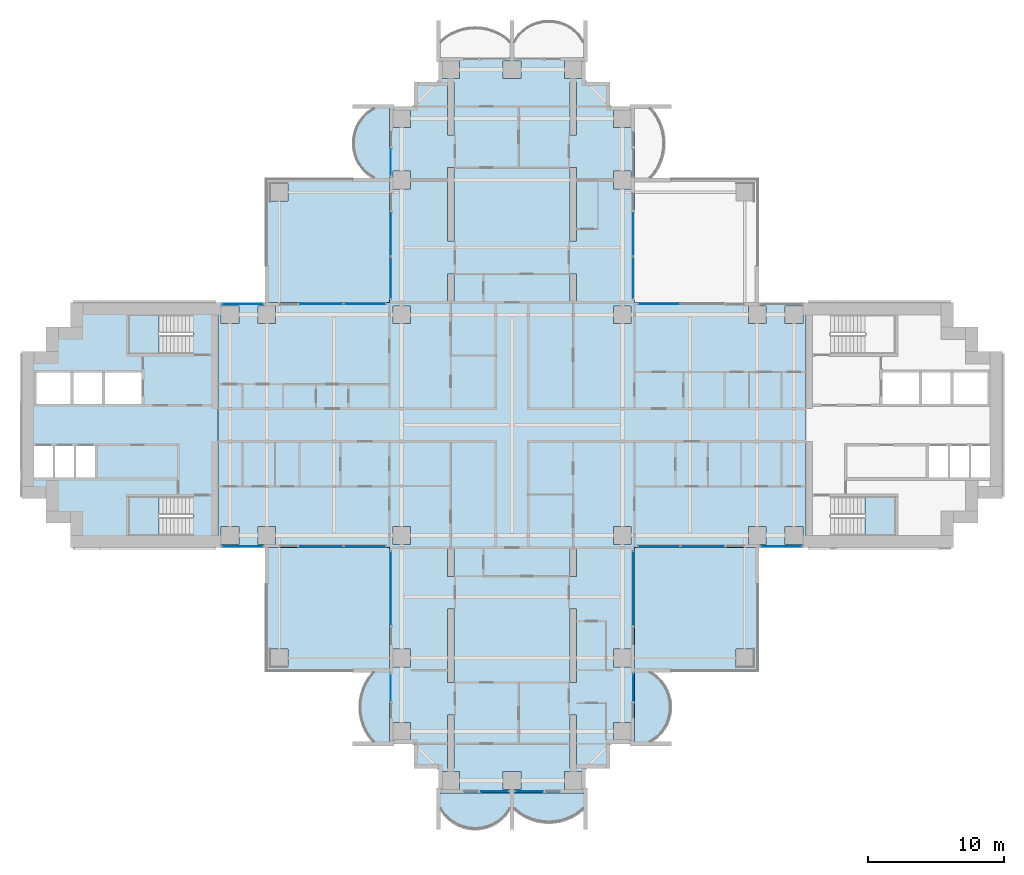
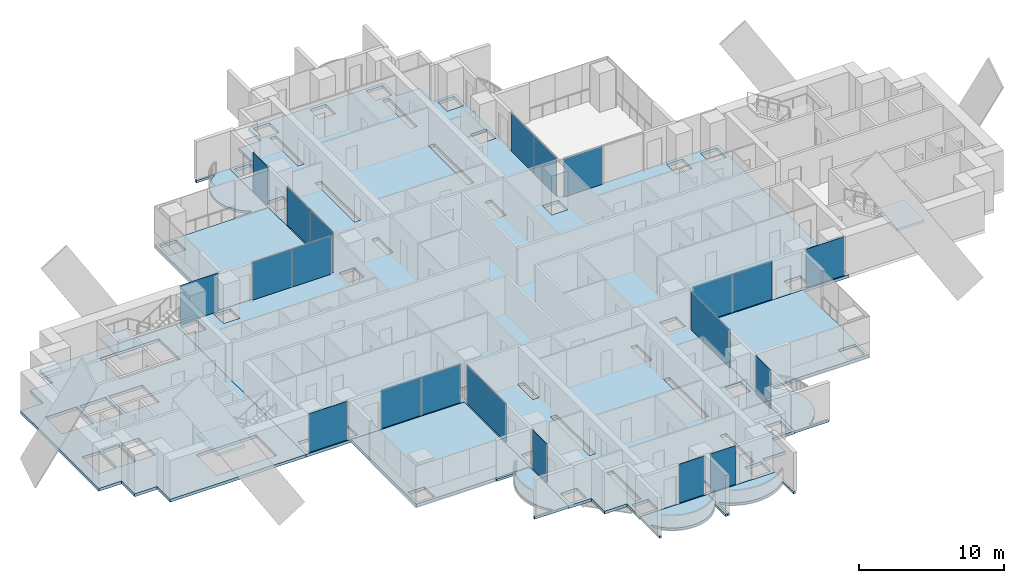
# One storey, part 9 of 22: 21 plates, 13 slabs, 19 elements without a shape of their own.
"""IFC4 building model written with IfcOpenShell, lengths in metres."""

from ifc_helpers import new_model, si_unit, direction, frame, origin, origin_2d, place, context, subcontext, project, spatial, polyline, rectangle, outline, extrude, material, layer, layer_set, type_object, element, aggregate, save


model = new_model("IFC4")

# Units and contexts
model_context = context("Model", 3, precision=1e-05, world=origin(), true_north=direction((0.0, 1.0)))
body_context = subcontext(model_context, "Body", "Model", "MODEL_VIEW")
ifc_project = project(units=[si_unit("LENGTHUNIT", "METRE"), si_unit("AREAUNIT", "SQUARE_METRE"), si_unit("VOLUMEUNIT", "CUBIC_METRE"), si_unit("PLANEANGLEUNIT", "RADIAN"), si_unit("MASSUNIT", "GRAM", prefix="KILO")], contexts=[model_context])

# Site, building, storey
site_placement = place(None, origin())
site = spatial("IfcSite", under=ifc_project, at=site_placement, CompositionType="ELEMENT")
building_placement = place(site_placement, origin())
building = spatial("IfcBuilding", under=site, at=building_placement, Name="Perihelion Cross Residences", CompositionType="ELEMENT")
storey_placement = place(building_placement, frame((0.0, 0.0, 50.5)))
storey = spatial("IfcBuildingStorey", under=building, at=storey_placement, Name="L09", CompositionType="ELEMENT", Elevation=50.5)

# Slabs
ifc_material_1 = material(Name="Concrete C40/50", Category="concrete")
ifc_layer_1 = layer(ifc_material_1, 0.199951171875)
ifc_layer_set_1 = layer_set([ifc_layer_1], Name="Balcony slab 200")
slab_type_1 = type_object("IfcSlabType", Name="Balcony slab 200", PredefinedType="FLOOR", material=ifc_layer_set_1)
slab_1_placement = place(storey_placement, frame((0.0, 0.0, -0.199951171875)))
element("IfcSlab", 1, at=slab_1_placement, inside=storey, type_object=slab_type_1, Name="Slab BK1 L09 north side west bay 1 balcony", PredefinedType="FLOOR", context=body_context, shape_type="SweptSolid", body=[
    extrude(outline(polyline([(-9.0, 23.39990234375), (-9.0, 18.0), (-11.699951171875, 18.0), (-11.699951171875, 18.14990234375), (-10.199951171875, 18.14990234375), (-10.6767578125, 18.489990234375), (-11.007080078125, 18.830078125), (-11.2490234375, 19.169921875), (-11.42724609375, 19.510009765625), (-11.553466796875, 19.85009765625), (-11.63427734375, 20.18994140625), (-11.674072265625, 20.530029296875), (-11.674072265625, 20.8701171875), (-11.63427734375, 21.2099609375), (-11.553466796875, 21.550048828125), (-11.42724609375, 21.889892578125), (-11.2490234375, 22.22998046875), (-11.007080078125, 22.570068359375), (-10.6767578125, 22.909912109375), (-10.199951171875, 23.25), (-11.699951171875, 23.25), (-11.699951171875, 23.39990234375), (-9.0, 23.39990234375)])), origin(), (0.0, 0.0, 1.0), 0.199951171875),
])
slab_2_placement = place(storey_placement, frame((0.0, 0.0, -0.199951171875)))
element("IfcSlab", 2, at=slab_2_placement, inside=storey, type_object=slab_type_1, Name="Slab BK1 L09 south side west bay 2 balcony", PredefinedType="FLOOR", context=body_context, shape_type="SweptSolid", body=[
    extrude(outline(polyline([(-9.0, -18.0), (-9.0, -23.39990234375), (-11.699951171875, -23.39990234375), (-11.699951171875, -23.25), (-10.199951171875, -23.25), (-10.5400390625, -22.824951171875), (-10.792724609375, -22.39990234375), (-10.9765625, -21.97509765625), (-11.1025390625, -21.550048828125), (-11.17578125, -21.125), (-11.199951171875, -20.699951171875), (-11.17578125, -20.27490234375), (-11.1025390625, -19.85009765625), (-10.9765625, -19.425048828125), (-10.792724609375, -19.0), (-10.5400390625, -18.574951171875), (-10.199951171875, -18.14990234375), (-11.699951171875, -18.14990234375), (-11.699951171875, -18.0), (-9.0, -18.0)])), origin(), (0.0, 0.0, 1.0), 0.199951171875),
])
slab_3_placement = place(storey_placement, frame((0.0, 0.0, -0.199951171875)))
element("IfcSlab", 3, at=slab_3_placement, inside=storey, type_object=slab_type_1, Name="Slab BK1 L09 south tip south bay 1 balcony", PredefinedType="FLOOR", context=body_context, shape_type="SweptSolid", body=[
    extrude(outline(polyline([(-5.39990234375, -27.0), (0.0, -27.0), (0.0, -29.699951171875), (-0.14990234375, -29.699951171875), (-0.14990234375, -28.199951171875), (-0.489990234375, -28.6767578125), (-0.830078125, -29.007080078125), (-1.169921875, -29.2490234375), (-1.510009765625, -29.42724609375), (-1.85009765625, -29.553466796875), (-2.18994140625, -29.63427734375), (-2.530029296875, -29.674072265625), (-2.8701171875, -29.674072265625), (-3.2099609375, -29.63427734375), (-3.550048828125, -29.553466796875), (-3.889892578125, -29.42724609375), (-4.22998046875, -29.2490234375), (-4.570068359375, -29.007080078125), (-4.909912109375, -28.6767578125), (-5.25, -28.199951171875), (-5.25, -29.699951171875), (-5.39990234375, -29.699951171875), (-5.39990234375, -27.0)])), origin(), (0.0, 0.0, 1.0), 0.199951171875),
])
slab_4_placement = place(storey_placement, frame((0.0, 0.0, -0.199951171875)))
element("IfcSlab", 4, at=slab_4_placement, inside=storey, type_object=slab_type_1, Name="Slab BK1 L09 south tip south bay 2 balcony", PredefinedType="FLOOR", context=body_context, shape_type="SweptSolid", body=[
    extrude(outline(polyline([(0.0, -27.0), (5.39990234375, -27.0), (5.39990234375, -29.699951171875), (5.25, -29.699951171875), (5.25, -28.199951171875), (4.824951171875, -28.5400390625), (4.39990234375, -28.792724609375), (3.97509765625, -28.9765625), (3.550048828125, -29.1025390625), (3.125, -29.17578125), (2.699951171875, -29.199951171875), (2.27490234375, -29.17578125), (1.85009765625, -29.1025390625), (1.425048828125, -28.9765625), (1.0, -28.792724609375), (0.574951171875, -28.5400390625), (0.14990234375, -28.199951171875), (0.14990234375, -29.699951171875), (0.0, -29.699951171875), (0.0, -27.0)])), origin(), (0.0, 0.0, 1.0), 0.199951171875),
])
slab_5_placement = place(storey_placement, frame((0.0, 0.0, -0.199951171875)))
element("IfcSlab", 5, at=slab_5_placement, inside=storey, type_object=slab_type_1, Name="Slab BK1 L09 south side east bay 1 balcony", PredefinedType="FLOOR", context=body_context, shape_type="SweptSolid", body=[
    extrude(outline(polyline([(9.0, -23.39990234375), (9.0, -18.0), (11.699951171875, -18.0), (11.699951171875, -18.14990234375), (10.199951171875, -18.14990234375), (10.6767578125, -18.489990234375), (11.007080078125, -18.830078125), (11.2490234375, -19.169921875), (11.42724609375, -19.510009765625), (11.553466796875, -19.85009765625), (11.63427734375, -20.18994140625), (11.674072265625, -20.530029296875), (11.674072265625, -20.8701171875), (11.63427734375, -21.2099609375), (11.553466796875, -21.550048828125), (11.42724609375, -21.889892578125), (11.2490234375, -22.22998046875), (11.007080078125, -22.570068359375), (10.6767578125, -22.909912109375), (10.199951171875, -23.25), (11.699951171875, -23.25), (11.699951171875, -23.39990234375), (9.0, -23.39990234375)])), origin(), (0.0, 0.0, 1.0), 0.199951171875),
])

# Curtain wall, plate
ifc_material_2 = material(Name="Bronze anodised aluminium, tinted glazing", Category="aluminium")
curtain_wall_type = type_object("IfcCurtainWallType", Name="CW1", PredefinedType="NOTDEFINED", material=ifc_material_2)
curtain_wall_1_placement = place(storey_placement, origin())
curtain_wall_1 = element("IfcCurtainWall", 6, at=curtain_wall_1_placement, inside=storey, type_object=curtain_wall_type, Name="Curtain wall CW1 L09 east side north bay 2", PredefinedType="NOTDEFINED")
ifc_material_3 = material(Name="Tinted laminated glass", Category="glass")
ifc_layer_2 = layer(ifc_material_3, 0.028076171875)
ifc_layer_set_2 = layer_set([ifc_layer_2], Name="CW1 panel")
plate_type = type_object("IfcPlateType", Name="CW1 panel", PredefinedType="CURTAIN_PANEL", material=ifc_layer_set_2)
plate_1_placement = place(storey_placement, frame((10.802490234375, 8.89990234375, 0.0), z_axis=(0.0, 0.0, 1.0), x_axis=(-1.0, 0.0, 0.0)))
plate_1 = element("IfcPlate", 7, at=plate_1_placement, type_object=plate_type, Name="CW1 panel 2", PredefinedType="CURTAIN_PANEL", context=body_context, shape_type="SweptSolid", body=[
    extrude(rectangle(XDim=3.0849609375, YDim=0.028076171875, at=origin_2d()), origin(), (0.0, 0.0, 1.0), 3.18994140625),
])
aggregate(curtain_wall_1, [plate_1])

# Curtain wall, plates
curtain_wall_2_placement = place(storey_placement, origin())
curtain_wall_2 = element("IfcCurtainWall", 8, at=curtain_wall_2_placement, inside=storey, type_object=curtain_wall_type, Name="Curtain wall CW1 L09 north side east bay 1", PredefinedType="NOTDEFINED")
plate_2_placement = place(storey_placement, frame((8.89990234375, 10.802490234375, 0.0), z_axis=(0.0, 0.0, 1.0), x_axis=(0.0, 1.0, 0.0)))
plate_2 = element("IfcPlate", 9, at=plate_2_placement, type_object=plate_type, Name="CW1 panel 1", PredefinedType="CURTAIN_PANEL", context=body_context, shape_type="SweptSolid", body=[
    extrude(rectangle(XDim=3.0849609375, YDim=0.028076171875, at=origin_2d()), origin(), (0.0, 0.0, 1.0), 3.18994140625),
])
plate_3_placement = place(storey_placement, frame((8.89990234375, 13.9775390625, 0.0), z_axis=(0.0, 0.0, 1.0), x_axis=(0.0, 1.0, 0.0)))
plate_3 = element("IfcPlate", 10, at=plate_3_placement, type_object=plate_type, Name="CW1 panel 2", PredefinedType="CURTAIN_PANEL", context=body_context, shape_type="SweptSolid", body=[
    extrude(rectangle(XDim=3.14501953125, YDim=0.028076171875, at=origin_2d()), origin(), (0.0, 0.0, 1.0), 3.18994140625),
])
aggregate(curtain_wall_2, [plate_2, plate_3])

# Curtain wall, plate
curtain_wall_3_placement = place(storey_placement, origin())
curtain_wall_3 = element("IfcCurtainWall", 11, at=curtain_wall_3_placement, inside=storey, type_object=curtain_wall_type, Name="Curtain wall CW1 L09 north side west bay 1", PredefinedType="NOTDEFINED")
plate_4_placement = place(storey_placement, frame((-8.89990234375, 19.2548828125, 0.0), z_axis=(0.0, 0.0, 1.0), x_axis=(0.0, -1.0, 0.0)))
plate_4 = element("IfcPlate", 12, at=plate_4_placement, type_object=plate_type, Name="CW1 panel 1", PredefinedType="CURTAIN_PANEL", context=body_context, shape_type="SweptSolid", body=[
    extrude(rectangle(XDim=1.989990234375, YDim=0.028076171875, at=origin_2d()), origin(), (0.0, 0.0, 1.0), 3.25),
])
aggregate(curtain_wall_3, [plate_4])

# Curtain wall, plates
curtain_wall_4_placement = place(storey_placement, origin())
curtain_wall_4 = element("IfcCurtainWall", 13, at=curtain_wall_4_placement, inside=storey, type_object=curtain_wall_type, Name="Curtain wall CW1 L09 north side west bay 2", PredefinedType="NOTDEFINED")
plate_5_placement = place(storey_placement, frame((-8.89990234375, 13.9775390625, 0.0), z_axis=(0.0, 0.0, 1.0), x_axis=(0.0, -1.0, 0.0)))
plate_5 = element("IfcPlate", 14, at=plate_5_placement, type_object=plate_type, Name="CW1 panel 1", PredefinedType="CURTAIN_PANEL", context=body_context, shape_type="SweptSolid", body=[
    extrude(rectangle(XDim=3.14501953125, YDim=0.028076171875, at=origin_2d()), origin(), (0.0, 0.0, 1.0), 3.18994140625),
])
plate_6_placement = place(storey_placement, frame((-8.89990234375, 10.802490234375, 0.0), z_axis=(0.0, 0.0, 1.0), x_axis=(0.0, -1.0, 0.0)))
plate_6 = element("IfcPlate", 15, at=plate_6_placement, type_object=plate_type, Name="CW1 panel 2", PredefinedType="CURTAIN_PANEL", context=body_context, shape_type="SweptSolid", body=[
    extrude(rectangle(XDim=3.0849609375, YDim=0.028076171875, at=origin_2d()), origin(), (0.0, 0.0, 1.0), 3.18994140625),
])
aggregate(curtain_wall_4, [plate_5, plate_6])

curtain_wall_5_placement = place(storey_placement, origin())
curtain_wall_5 = element("IfcCurtainWall", 16, at=curtain_wall_5_placement, inside=storey, type_object=curtain_wall_type, Name="Curtain wall CW1 L09 west side north bay 1", PredefinedType="NOTDEFINED")
plate_7_placement = place(storey_placement, frame((-10.802490234375, 8.89990234375, 0.0), z_axis=(0.0, 0.0, 1.0), x_axis=(-1.0, 0.0, 0.0)))
plate_7 = element("IfcPlate", 17, at=plate_7_placement, type_object=plate_type, Name="CW1 panel 1", PredefinedType="CURTAIN_PANEL", context=body_context, shape_type="SweptSolid", body=[
    extrude(rectangle(XDim=3.0849609375, YDim=0.028076171875, at=origin_2d()), origin(), (0.0, 0.0, 1.0), 3.18994140625),
])
plate_8_placement = place(storey_placement, frame((-13.9775390625, 8.89990234375, 0.0), z_axis=(0.0, 0.0, 1.0), x_axis=(-1.0, 0.0, 0.0)))
plate_8 = element("IfcPlate", 18, at=plate_8_placement, type_object=plate_type, Name="CW1 panel 2", PredefinedType="CURTAIN_PANEL", context=body_context, shape_type="SweptSolid", body=[
    extrude(rectangle(XDim=3.14501953125, YDim=0.028076171875, at=origin_2d()), origin(), (0.0, 0.0, 1.0), 3.18994140625),
])
aggregate(curtain_wall_5, [plate_7, plate_8])

# Curtain wall, plate
curtain_wall_6_placement = place(storey_placement, origin())
curtain_wall_6 = element("IfcCurtainWall", 19, at=curtain_wall_6_placement, inside=storey, type_object=curtain_wall_type, Name="Curtain wall CW1 L09 west side north bay 2", PredefinedType="NOTDEFINED")
plate_9_placement = place(storey_placement, frame((-19.77490234375, 8.89990234375, 0.0), z_axis=(0.0, 0.0, 1.0), x_axis=(-1.0, 0.0, 0.0)))
plate_9 = element("IfcPlate", 20, at=plate_9_placement, type_object=plate_type, Name="CW1 panel 1", PredefinedType="CURTAIN_PANEL", context=body_context, shape_type="SweptSolid", body=[
    extrude(rectangle(XDim=3.030029296875, YDim=0.028076171875, at=origin_2d()), origin(), (0.0, 0.0, 1.0), 3.25),
])
aggregate(curtain_wall_6, [plate_9])

curtain_wall_7_placement = place(storey_placement, origin())
curtain_wall_7 = element("IfcCurtainWall", 21, at=curtain_wall_7_placement, inside=storey, type_object=curtain_wall_type, Name="Curtain wall CW1 L09 west side south bay 1", PredefinedType="NOTDEFINED")
plate_10_placement = place(storey_placement, frame((-19.77490234375, -8.89990234375, 0.0), z_axis=(0.0, 0.0, 1.0), x_axis=(1.0, 0.0, 0.0)))
plate_10 = element("IfcPlate", 22, at=plate_10_placement, type_object=plate_type, Name="CW1 panel 1", PredefinedType="CURTAIN_PANEL", context=body_context, shape_type="SweptSolid", body=[
    extrude(rectangle(XDim=3.030029296875, YDim=0.028076171875, at=origin_2d()), origin(), (0.0, 0.0, 1.0), 3.25),
])
aggregate(curtain_wall_7, [plate_10])

# Curtain wall, plates
curtain_wall_8_placement = place(storey_placement, origin())
curtain_wall_8 = element("IfcCurtainWall", 23, at=curtain_wall_8_placement, inside=storey, type_object=curtain_wall_type, Name="Curtain wall CW1 L09 west side south bay 2", PredefinedType="NOTDEFINED")
plate_11_placement = place(storey_placement, frame((-13.9775390625, -8.89990234375, 0.0), z_axis=(0.0, 0.0, 1.0), x_axis=(1.0, 0.0, 0.0)))
plate_11 = element("IfcPlate", 24, at=plate_11_placement, type_object=plate_type, Name="CW1 panel 1", PredefinedType="CURTAIN_PANEL", context=body_context, shape_type="SweptSolid", body=[
    extrude(rectangle(XDim=3.14501953125, YDim=0.028076171875, at=origin_2d()), origin(), (0.0, 0.0, 1.0), 3.18994140625),
])
plate_12_placement = place(storey_placement, frame((-10.802490234375, -8.89990234375, 0.0), z_axis=(0.0, 0.0, 1.0), x_axis=(1.0, 0.0, 0.0)))
plate_12 = element("IfcPlate", 25, at=plate_12_placement, type_object=plate_type, Name="CW1 panel 2", PredefinedType="CURTAIN_PANEL", context=body_context, shape_type="SweptSolid", body=[
    extrude(rectangle(XDim=3.0849609375, YDim=0.028076171875, at=origin_2d()), origin(), (0.0, 0.0, 1.0), 3.18994140625),
])
aggregate(curtain_wall_8, [plate_11, plate_12])

# Curtain wall, plate
curtain_wall_9_placement = place(storey_placement, origin())
curtain_wall_9 = element("IfcCurtainWall", 26, at=curtain_wall_9_placement, inside=storey, type_object=curtain_wall_type, Name="Curtain wall CW1 L09 south side west bay 1", PredefinedType="NOTDEFINED")
plate_13_placement = place(storey_placement, frame((-8.89990234375, -11.955078125, 0.0), z_axis=(0.0, 0.0, 1.0), x_axis=(0.0, -1.0, 0.0)))
plate_13 = element("IfcPlate", 27, at=plate_13_placement, type_object=plate_type, Name="CW1 panel 1", PredefinedType="CURTAIN_PANEL", context=body_context, shape_type="SweptSolid", body=[
    extrude(rectangle(XDim=5.389892578125, YDim=0.028076171875, at=origin_2d()), origin(), (0.0, 0.0, 1.0), 3.18994140625),
])
aggregate(curtain_wall_9, [plate_13])

curtain_wall_10_placement = place(storey_placement, origin())
curtain_wall_10 = element("IfcCurtainWall", 28, at=curtain_wall_10_placement, inside=storey, type_object=curtain_wall_type, Name="Curtain wall CW1 L09 south side west bay 2", PredefinedType="NOTDEFINED")
plate_14_placement = place(storey_placement, frame((-8.89990234375, -19.2548828125, 0.0), z_axis=(0.0, 0.0, 1.0), x_axis=(0.0, -1.0, 0.0)))
plate_14 = element("IfcPlate", 29, at=plate_14_placement, type_object=plate_type, Name="CW1 panel 1", PredefinedType="CURTAIN_PANEL", context=body_context, shape_type="SweptSolid", body=[
    extrude(rectangle(XDim=1.989990234375, YDim=0.028076171875, at=origin_2d()), origin(), (0.0, 0.0, 1.0), 3.25),
])
aggregate(curtain_wall_10, [plate_14])

curtain_wall_11_placement = place(storey_placement, origin())
curtain_wall_11 = element("IfcCurtainWall", 30, at=curtain_wall_11_placement, inside=storey, type_object=curtain_wall_type, Name="Curtain wall CW1 L09 south tip south bay 1", PredefinedType="NOTDEFINED")
plate_15_placement = place(storey_placement, frame((-1.2548828125, -26.89990234375, 0.0), z_axis=(0.0, 0.0, 1.0), x_axis=(1.0, 0.0, 0.0)))
plate_15 = element("IfcPlate", 31, at=plate_15_placement, type_object=plate_type, Name="CW1 panel 1", PredefinedType="CURTAIN_PANEL", context=body_context, shape_type="SweptSolid", body=[
    extrude(rectangle(XDim=1.989990234375, YDim=0.028076171875, at=origin_2d()), origin(), (0.0, 0.0, 1.0), 3.25),
])
aggregate(curtain_wall_11, [plate_15])

curtain_wall_12_placement = place(storey_placement, origin())
curtain_wall_12 = element("IfcCurtainWall", 32, at=curtain_wall_12_placement, inside=storey, type_object=curtain_wall_type, Name="Curtain wall CW1 L09 south tip south bay 2", PredefinedType="NOTDEFINED")
plate_16_placement = place(storey_placement, frame((1.2548828125, -26.89990234375, 0.0), z_axis=(0.0, 0.0, 1.0), x_axis=(1.0, 0.0, 0.0)))
plate_16 = element("IfcPlate", 33, at=plate_16_placement, type_object=plate_type, Name="CW1 panel 1", PredefinedType="CURTAIN_PANEL", context=body_context, shape_type="SweptSolid", body=[
    extrude(rectangle(XDim=1.989990234375, YDim=0.028076171875, at=origin_2d()), origin(), (0.0, 0.0, 1.0), 3.25),
])
aggregate(curtain_wall_12, [plate_16])

curtain_wall_13_placement = place(storey_placement, origin())
curtain_wall_13 = element("IfcCurtainWall", 34, at=curtain_wall_13_placement, inside=storey, type_object=curtain_wall_type, Name="Curtain wall CW1 L09 south side east bay 1", PredefinedType="NOTDEFINED")
plate_17_placement = place(storey_placement, frame((8.89990234375, -19.2548828125, 0.0), z_axis=(0.0, 0.0, 1.0), x_axis=(0.0, 1.0, 0.0)))
plate_17 = element("IfcPlate", 35, at=plate_17_placement, type_object=plate_type, Name="CW1 panel 1", PredefinedType="CURTAIN_PANEL", context=body_context, shape_type="SweptSolid", body=[
    extrude(rectangle(XDim=1.989990234375, YDim=0.028076171875, at=origin_2d()), origin(), (0.0, 0.0, 1.0), 3.25),
])
aggregate(curtain_wall_13, [plate_17])

curtain_wall_14_placement = place(storey_placement, origin())
curtain_wall_14 = element("IfcCurtainWall", 36, at=curtain_wall_14_placement, inside=storey, type_object=curtain_wall_type, Name="Curtain wall CW1 L09 south side east bay 2", PredefinedType="NOTDEFINED")
plate_18_placement = place(storey_placement, frame((8.89990234375, -11.955078125, 0.0), z_axis=(0.0, 0.0, 1.0), x_axis=(0.0, 1.0, 0.0)))
plate_18 = element("IfcPlate", 37, at=plate_18_placement, type_object=plate_type, Name="CW1 panel 1", PredefinedType="CURTAIN_PANEL", context=body_context, shape_type="SweptSolid", body=[
    extrude(rectangle(XDim=5.389892578125, YDim=0.028076171875, at=origin_2d()), origin(), (0.0, 0.0, 1.0), 3.18994140625),
])
aggregate(curtain_wall_14, [plate_18])

# Curtain wall, plates
curtain_wall_15_placement = place(storey_placement, origin())
curtain_wall_15 = element("IfcCurtainWall", 38, at=curtain_wall_15_placement, inside=storey, type_object=curtain_wall_type, Name="Curtain wall CW1 L09 east side south bay 1", PredefinedType="NOTDEFINED")
plate_19_placement = place(storey_placement, frame((10.802490234375, -8.89990234375, 0.0), z_axis=(0.0, 0.0, 1.0), x_axis=(1.0, 0.0, 0.0)))
plate_19 = element("IfcPlate", 39, at=plate_19_placement, type_object=plate_type, Name="CW1 panel 1", PredefinedType="CURTAIN_PANEL", context=body_context, shape_type="SweptSolid", body=[
    extrude(rectangle(XDim=3.0849609375, YDim=0.028076171875, at=origin_2d()), origin(), (0.0, 0.0, 1.0), 3.18994140625),
])
plate_20_placement = place(storey_placement, frame((13.9775390625, -8.89990234375, 0.0), z_axis=(0.0, 0.0, 1.0), x_axis=(1.0, 0.0, 0.0)))
plate_20 = element("IfcPlate", 40, at=plate_20_placement, type_object=plate_type, Name="CW1 panel 2", PredefinedType="CURTAIN_PANEL", context=body_context, shape_type="SweptSolid", body=[
    extrude(rectangle(XDim=3.14501953125, YDim=0.028076171875, at=origin_2d()), origin(), (0.0, 0.0, 1.0), 3.18994140625),
])
aggregate(curtain_wall_15, [plate_19, plate_20])

# Curtain wall, plate
curtain_wall_16_placement = place(storey_placement, origin())
curtain_wall_16 = element("IfcCurtainWall", 41, at=curtain_wall_16_placement, inside=storey, type_object=curtain_wall_type, Name="Curtain wall CW1 L09 east side south bay 2", PredefinedType="NOTDEFINED")
plate_21_placement = place(storey_placement, frame((19.77490234375, -8.89990234375, 0.0), z_axis=(0.0, 0.0, 1.0), x_axis=(1.0, 0.0, 0.0)))
plate_21 = element("IfcPlate", 42, at=plate_21_placement, type_object=plate_type, Name="CW1 panel 1", PredefinedType="CURTAIN_PANEL", context=body_context, shape_type="SweptSolid", body=[
    extrude(rectangle(XDim=3.030029296875, YDim=0.028076171875, at=origin_2d()), origin(), (0.0, 0.0, 1.0), 3.25),
])
aggregate(curtain_wall_16, [plate_21])

# Slabs
ifc_material_4 = material(Name="Concrete C40/50", Category="concrete")
ifc_layer_3 = layer(ifc_material_4, 0.25)
ifc_layer_set_3 = layer_set([ifc_layer_3], Name="Core floor slab 250")
slab_type_2 = type_object("IfcSlabType", Name="Core floor slab 250", PredefinedType="FLOOR", material=ifc_layer_set_3)
slab_6_placement = place(storey_placement, frame((0.0, 0.0, -0.25)))
element("IfcSlab", 43, at=slab_6_placement, inside=storey, type_object=slab_type_2, Name="West core floor slab", PredefinedType="FLOOR", context=body_context, shape_type="SweptSolid", body=[
    extrude(outline(polyline([(-32.39990234375, 7.199951171875), (-34.199951171875, 7.199951171875), (-34.199951171875, 5.39990234375), (-36.0, 5.39990234375), (-36.0, -5.39990234375), (-34.199951171875, -5.39990234375), (-34.199951171875, -7.199951171875), (-32.39990234375, -7.199951171875), (-32.39990234375, -9.0), (-21.60009765625, -9.0), (-21.60009765625, 9.0), (-32.39990234375, 9.0), (-32.39990234375, 7.199951171875)]), holes=[polyline([(-23.405029296875, -8.10009765625), (-28.14990234375, -8.10009765625), (-28.14990234375, -5.25), (-23.405029296875, -5.25), (-23.405029296875, -8.10009765625)]), polyline([(-30.60009765625, -1.550048828125), (-30.60009765625, -3.85009765625), (-32.0, -3.85009765625), (-32.0, -1.550048828125), (-30.60009765625, -1.550048828125)]), polyline([(-32.14990234375, -1.550048828125), (-32.14990234375, -3.85009765625), (-33.550048828125, -3.85009765625), (-33.550048828125, -1.550048828125), (-32.14990234375, -1.550048828125)]), polyline([(-33.699951171875, -1.550048828125), (-33.699951171875, -3.85009765625), (-35.10009765625, -3.85009765625), (-35.10009765625, -1.550048828125), (-33.699951171875, -1.550048828125)]), polyline([(-27.199951171875, 3.85009765625), (-27.199951171875, 1.550048828125), (-29.89990234375, 1.550048828125), (-29.89990234375, 3.85009765625), (-27.199951171875, 3.85009765625)]), polyline([(-30.10009765625, 3.85009765625), (-30.10009765625, 1.550048828125), (-32.199951171875, 1.550048828125), (-32.199951171875, 3.85009765625), (-30.10009765625, 3.85009765625)]), polyline([(-32.39990234375, 3.85009765625), (-32.39990234375, 1.550048828125), (-34.89990234375, 1.550048828125), (-34.89990234375, 3.85009765625), (-32.39990234375, 3.85009765625)]), polyline([(-23.405029296875, 5.25), (-28.14990234375, 5.25), (-28.14990234375, 8.10009765625), (-23.405029296875, 8.10009765625), (-23.405029296875, 5.25)])]), origin(), (0.0, 0.0, 1.0), 0.25),
])
ifc_material_5 = material(Name="Concrete C40/50", Category="concrete")
ifc_layer_4 = layer(ifc_material_5, 0.25)
ifc_layer_set_4 = layer_set([ifc_layer_4], Name="Corner terrace slab")
slab_type_3 = type_object("IfcSlabType", Name="Corner terrace slab", PredefinedType="FLOOR", material=ifc_layer_set_4)
slab_7_placement = place(storey_placement, frame((0.0, 0.0, -0.25)))
element("IfcSlab", 44, at=slab_7_placement, inside=storey, type_object=slab_type_3, Name="Slab BK2 L09 pocket north-west", PredefinedType="FLOOR", context=body_context, shape_type="SweptSolid", body=[
    extrude(outline(polyline([(-9.0, 9.0), (-9.0, 18.0), (-18.0, 18.0), (-18.0, 9.0), (-9.0, 9.0)]), holes=[polyline([(-17.7900390625, 16.409912109375), (-17.7900390625, 17.7900390625), (-16.449951171875, 17.7900390625), (-16.449951171875, 16.449951171875), (-17.75, 16.449951171875), (-17.75, 16.409912109375), (-17.7900390625, 16.409912109375)])]), origin(), (0.0, 0.0, 1.0), 0.25),
])
slab_8_placement = place(storey_placement, frame((0.0, 0.0, -0.25)))
element("IfcSlab", 45, at=slab_8_placement, inside=storey, type_object=slab_type_3, Name="Slab BK2 L09 pocket south-west", PredefinedType="FLOOR", context=body_context, shape_type="SweptSolid", body=[
    extrude(outline(polyline([(-9.0, -18.0), (-9.0, -9.0), (-18.0, -9.0), (-18.0, -18.0), (-9.0, -18.0)]), holes=[polyline([(-17.7900390625, -16.409912109375), (-17.75, -16.409912109375), (-17.75, -16.449951171875), (-16.449951171875, -16.449951171875), (-16.449951171875, -17.7900390625), (-17.7900390625, -17.7900390625), (-17.7900390625, -16.409912109375)])]), origin(), (0.0, 0.0, 1.0), 0.25),
])
slab_9_placement = place(storey_placement, frame((0.0, 0.0, -0.25)))
element("IfcSlab", 46, at=slab_9_placement, inside=storey, type_object=slab_type_3, Name="Slab BK2 L09 pocket south-east", PredefinedType="FLOOR", context=body_context, shape_type="SweptSolid", body=[
    extrude(outline(polyline([(18.0, -18.0), (18.0, -9.0), (9.0, -9.0), (9.0, -18.0), (18.0, -18.0)]), holes=[polyline([(16.449951171875, -17.7900390625), (16.449951171875, -16.449951171875), (17.75, -16.449951171875), (17.75, -16.409912109375), (17.7900390625, -16.409912109375), (17.7900390625, -17.7900390625), (16.449951171875, -17.7900390625)])]), origin(), (0.0, 0.0, 1.0), 0.25),
])

# Stair, slab
ifc_material_6 = material(Name="Concrete C40/50", Category="concrete")
stair_type = type_object("IfcStairType", Name="Exit stair, half-turn", PredefinedType="HALF_TURN_STAIR", material=ifc_material_6)
stair_1_placement = place(storey_placement, origin())
stair_1 = element("IfcStair", 47, at=stair_1_placement, inside=storey, type_object=stair_type, Name="L09 East core exit stair 2", PredefinedType="HALF_TURN_STAIR")
ifc_material_7 = material(Name="Concrete C40/50", Category="concrete")
ifc_layer_5 = layer(ifc_material_7, 0.199951171875)
ifc_layer_set_5 = layer_set([ifc_layer_5], Name="Exit stair landing 200")
slab_type_4 = type_object("IfcSlabType", Name="Exit stair landing 200", PredefinedType="LANDING", material=ifc_layer_set_5)
slab_10_placement = place(storey_placement, frame((0.0, 0.0, 1.550048828125)))
slab_10 = element("IfcSlab", 48, at=slab_10_placement, type_object=slab_type_4, Name="ST-E2 landing 1", PredefinedType="LANDING", context=body_context, shape_type="SweptSolid", body=[
    extrude(outline(polyline([(25.919921875, -8.10009765625), (28.14990234375, -8.10009765625), (28.14990234375, -5.25), (25.919921875, -5.25), (25.919921875, -8.10009765625)])), origin(), (0.0, 0.0, 1.0), 0.199951171875),
])
aggregate(stair_1, [slab_10])

stair_2_placement = place(storey_placement, origin())
stair_2 = element("IfcStair", 49, at=stair_2_placement, inside=storey, type_object=stair_type, Name="L09 West core exit stair 1", PredefinedType="HALF_TURN_STAIR")
slab_11_placement = place(storey_placement, frame((0.0, 0.0, 1.550048828125)))
slab_11 = element("IfcSlab", 50, at=slab_11_placement, type_object=slab_type_4, Name="ST-W1 landing 1", PredefinedType="LANDING", context=body_context, shape_type="SweptSolid", body=[
    extrude(outline(polyline([(-25.919921875, 8.10009765625), (-28.14990234375, 8.10009765625), (-28.14990234375, 5.25), (-25.919921875, 5.25), (-25.919921875, 8.10009765625)])), origin(), (0.0, 0.0, 1.0), 0.199951171875),
])
aggregate(stair_2, [slab_11])

stair_3_placement = place(storey_placement, origin())
stair_3 = element("IfcStair", 51, at=stair_3_placement, inside=storey, type_object=stair_type, Name="L09 West core exit stair 2", PredefinedType="HALF_TURN_STAIR")
slab_12_placement = place(storey_placement, frame((0.0, 0.0, 1.550048828125)))
slab_12 = element("IfcSlab", 52, at=slab_12_placement, type_object=slab_type_4, Name="ST-W2 landing 1", PredefinedType="LANDING", context=body_context, shape_type="SweptSolid", body=[
    extrude(outline(polyline([(-25.919921875, -5.25), (-28.14990234375, -5.25), (-28.14990234375, -8.10009765625), (-25.919921875, -8.10009765625), (-25.919921875, -5.25)])), origin(), (0.0, 0.0, 1.0), 0.199951171875),
])
aggregate(stair_3, [slab_12])

# Slab
ifc_material_8 = material(Name="Concrete C50/60", Category="concrete")
ifc_layer_6 = layer(ifc_material_8, 0.25)
ifc_layer_set_6 = layer_set([ifc_layer_6], Name="Residential floor post-tensioned slab concrete C50/60")
slab_type_5 = type_object("IfcSlabType", Name="Residential floor post-tensioned slab concrete C50/60", PredefinedType="FLOOR", material=ifc_layer_set_6)
slab_13_placement = place(storey_placement, frame((0.0, 0.0, -0.25)))
element("IfcSlab", 53, at=slab_13_placement, inside=storey, type_object=slab_type_5, Name="Slab SL8 L09 1 no. 1", PredefinedType="FLOOR", context=body_context, shape_type="SweptSolid", body=[
    extrude(outline(polyline([(-9.0, 9.0), (-9.0, 23.39990234375), (-7.199951171875, 23.39990234375), (-7.199951171875, 25.199951171875), (-5.39990234375, 25.199951171875), (-5.39990234375, 27.0), (5.39990234375, 27.0), (5.39990234375, 25.199951171875), (7.199951171875, 25.199951171875), (7.199951171875, 23.39990234375), (9.0, 23.39990234375), (9.0, 9.0), (21.60009765625, 9.0), (21.60009765625, -9.0), (9.0, -9.0), (9.0, -23.39990234375), (7.199951171875, -23.39990234375), (7.199951171875, -25.199951171875), (5.39990234375, -25.199951171875), (5.39990234375, -27.0), (-5.39990234375, -27.0), (-5.39990234375, -25.199951171875), (-7.199951171875, -25.199951171875), (-7.199951171875, -23.39990234375), (-9.0, -23.39990234375), (-9.0, -9.0), (-21.60009765625, -9.0), (-21.60009765625, 9.0), (-9.0, 9.0)]), holes=[polyline([(0.64990234375, -26.75), (0.64990234375, -25.449951171875), (-0.64990234375, -25.449951171875), (-0.64990234375, -26.75), (0.64990234375, -26.75)]), polyline([(-3.85009765625, -26.75), (-3.85009765625, -25.449951171875), (-5.14990234375, -25.449951171875), (-5.14990234375, -26.75), (-3.85009765625, -26.75)]), polyline([(-4.25, -25.199951171875), (-4.25, -21.300048828125), (-4.75, -21.300048828125), (-4.75, -25.199951171875), (-4.25, -25.199951171875)]), polyline([(-8.75, -23.14990234375), (-7.449951171875, -23.14990234375), (-7.449951171875, -21.85009765625), (-8.75, -21.85009765625), (-8.75, -23.14990234375)]), polyline([(-8.75, -17.75), (-7.449951171875, -17.75), (-7.449951171875, -16.449951171875), (-8.75, -16.449951171875), (-8.75, -17.75)]), polyline([(-4.25, -18.89990234375), (-4.25, -13.5), (-4.75, -13.5), (-4.75, -18.89990234375), (-4.25, -18.89990234375)]), polyline([(-4.25, -11.10009765625), (-4.25, -9.0), (-4.75, -9.0), (-4.75, -11.10009765625), (-4.25, -11.10009765625)]), polyline([(-7.449951171875, -8.75), (-7.449951171875, -7.449951171875), (-8.75, -7.449951171875), (-8.75, -8.75), (-7.449951171875, -8.75)]), polyline([(-18.64990234375, -8.75), (-17.35009765625, -8.75), (-17.35009765625, -7.449951171875), (-18.64990234375, -7.449951171875), (-18.64990234375, -8.75)]), polyline([(-21.35009765625, -8.75), (-20.050048828125, -8.75), (-20.050048828125, -7.449951171875), (-21.35009765625, -7.449951171875), (-21.35009765625, -8.75)]), polyline([(-17.35009765625, 7.449951171875), (-17.35009765625, 8.75), (-18.64990234375, 8.75), (-18.64990234375, 7.449951171875), (-17.35009765625, 7.449951171875)]), polyline([(-7.449951171875, 7.449951171875), (-7.449951171875, 8.75), (-8.75, 8.75), (-8.75, 7.449951171875), (-7.449951171875, 7.449951171875)]), polyline([(-21.35009765625, 7.449951171875), (-20.050048828125, 7.449951171875), (-20.050048828125, 8.75), (-21.35009765625, 8.75), (-21.35009765625, 7.449951171875)]), polyline([(-4.75, 9.0), (-4.25, 9.0), (-4.25, 11.10009765625), (-4.75, 11.10009765625), (-4.75, 9.0)]), polyline([(-4.25, 13.5), (-4.25, 18.89990234375), (-4.75, 18.89990234375), (-4.75, 13.5), (-4.25, 13.5)]), polyline([(-7.449951171875, 17.35009765625), (-7.449951171875, 18.64990234375), (-8.75, 18.64990234375), (-8.75, 17.35009765625), (-7.449951171875, 17.35009765625)]), polyline([(-7.449951171875, 21.85009765625), (-7.449951171875, 23.14990234375), (-8.75, 23.14990234375), (-8.75, 21.85009765625), (-7.449951171875, 21.85009765625)]), polyline([(-4.75, 21.300048828125), (-4.25, 21.300048828125), (-4.25, 25.199951171875), (-4.75, 25.199951171875), (-4.75, 21.300048828125)]), polyline([(-5.14990234375, 25.449951171875), (-3.85009765625, 25.449951171875), (-3.85009765625, 26.75), (-5.14990234375, 26.75), (-5.14990234375, 25.449951171875)]), polyline([(5.14990234375, -26.75), (5.14990234375, -25.449951171875), (3.85009765625, -25.449951171875), (3.85009765625, -26.75), (5.14990234375, -26.75)]), polyline([(4.75, -25.199951171875), (4.75, -21.300048828125), (4.25, -21.300048828125), (4.25, -25.199951171875), (4.75, -25.199951171875)]), polyline([(8.75, -23.14990234375), (8.75, -21.85009765625), (7.449951171875, -21.85009765625), (7.449951171875, -23.14990234375), (8.75, -23.14990234375)]), polyline([(7.449951171875, -17.75), (8.75, -17.75), (8.75, -16.449951171875), (7.449951171875, -16.449951171875), (7.449951171875, -17.75)]), polyline([(4.25, -18.89990234375), (4.75, -18.89990234375), (4.75, -13.5), (4.25, -13.5), (4.25, -18.89990234375)]), polyline([(4.75, -11.10009765625), (4.75, -9.0), (4.25, -9.0), (4.25, -11.10009765625), (4.75, -11.10009765625)]), polyline([(18.64990234375, -8.75), (18.64990234375, -7.449951171875), (17.35009765625, -7.449951171875), (17.35009765625, -8.75), (18.64990234375, -8.75)]), polyline([(21.35009765625, -8.75), (21.35009765625, -7.449951171875), (20.050048828125, -7.449951171875), (20.050048828125, -8.75), (21.35009765625, -8.75)]), polyline([(7.449951171875, -8.75), (8.75, -8.75), (8.75, -7.449951171875), (7.449951171875, -7.449951171875), (7.449951171875, -8.75)]), polyline([(21.35009765625, 7.449951171875), (21.35009765625, 8.75), (20.050048828125, 8.75), (20.050048828125, 7.449951171875), (21.35009765625, 7.449951171875)]), polyline([(8.75, 7.449951171875), (8.75, 8.75), (7.449951171875, 8.75), (7.449951171875, 7.449951171875), (8.75, 7.449951171875)]), polyline([(18.64990234375, 7.449951171875), (18.64990234375, 8.75), (17.35009765625, 8.75), (17.35009765625, 7.449951171875), (18.64990234375, 7.449951171875)]), polyline([(4.25, 9.0), (4.75, 9.0), (4.75, 11.10009765625), (4.25, 11.10009765625), (4.25, 9.0)]), polyline([(4.25, 13.5), (4.75, 13.5), (4.75, 18.89990234375), (4.25, 18.89990234375), (4.25, 13.5)]), polyline([(8.75, 17.35009765625), (8.75, 18.64990234375), (7.449951171875, 18.64990234375), (7.449951171875, 17.35009765625), (8.75, 17.35009765625)]), polyline([(8.75, 21.85009765625), (8.75, 23.14990234375), (7.449951171875, 23.14990234375), (7.449951171875, 21.85009765625), (8.75, 21.85009765625)]), polyline([(4.75, 21.300048828125), (4.75, 25.199951171875), (4.25, 25.199951171875), (4.25, 21.300048828125), (4.75, 21.300048828125)]), polyline([(-0.64990234375, 25.449951171875), (0.64990234375, 25.449951171875), (0.64990234375, 26.75), (-0.64990234375, 26.75), (-0.64990234375, 25.449951171875)]), polyline([(3.85009765625, 25.449951171875), (5.14990234375, 25.449951171875), (5.14990234375, 26.75), (3.85009765625, 26.75), (3.85009765625, 25.449951171875)])]), origin(), (0.0, 0.0, 1.0), 0.25),
])

save(model, "model.ifc")
